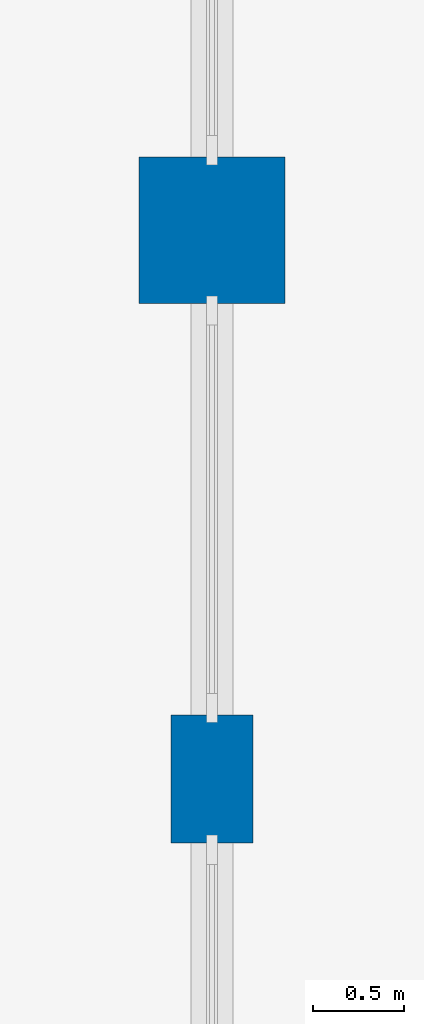
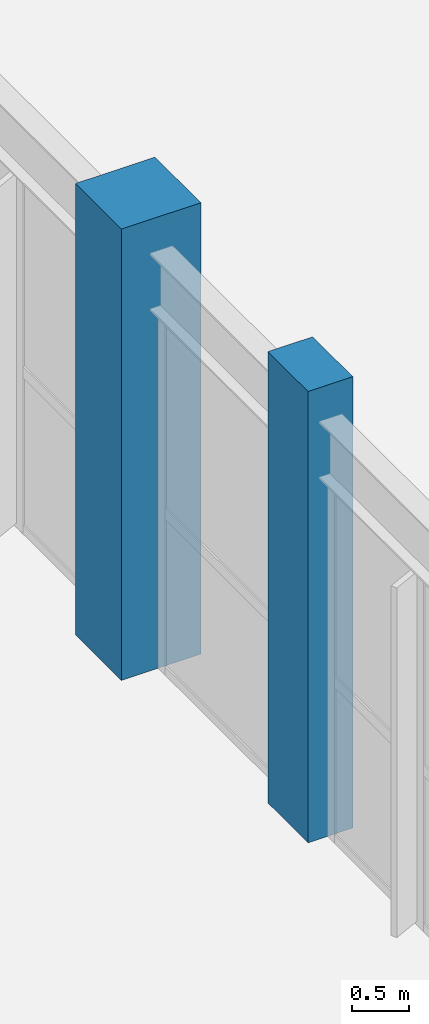
# One storey, part 19 of 199: 2 columns.
"""IFC4 building model written with IfcOpenShell, lengths in metres."""

from ifc_helpers import new_model, si_unit, direction, frame, origin, origin_2d, place, context, subcontext, project, spatial, rectangle, extrude, material, material_profile, profile_set, type_object, element, save


model = new_model("IFC4")

# Units and contexts
model_context = context("Model", 3, precision=1e-05, world=origin(), true_north=direction((0.0, 1.0)))
body_context = subcontext(model_context, "Body", "Model", "MODEL_VIEW")
ifc_project = project(units=[si_unit("LENGTHUNIT", "METRE"), si_unit("AREAUNIT", "SQUARE_METRE"), si_unit("VOLUMEUNIT", "CUBIC_METRE"), si_unit("PLANEANGLEUNIT", "RADIAN"), si_unit("MASSUNIT", "GRAM", prefix="KILO")], contexts=[model_context])

# Site, building, storey
site_placement = place(None, origin())
site = spatial("IfcSite", under=ifc_project, at=site_placement, CompositionType="ELEMENT")
building_placement = place(site_placement, origin())
building = spatial("IfcBuilding", under=site, at=building_placement, Name="Tarnwether General Hospital", CompositionType="ELEMENT")
storey_placement = place(building_placement, origin())
storey = spatial("IfcBuildingStorey", under=building, at=storey_placement, Name="L00", CompositionType="ELEMENT", Elevation=0.0)

# Columns
ifc_material_1 = material(Name="Concrete 50 MPa", Category="concrete")
ifc_material_profile_1 = material_profile(ifc_material_1, rectangle(XDim=0.800048828125, YDim=0.800048828125, at=origin_2d()), Name="RC-COL-800x800")
ifc_profile_set_1 = profile_set([ifc_material_profile_1], Name="Concrete 50 MPa")
column_type_1 = type_object("IfcColumnType", Name="COL-16", PredefinedType="COLUMN", material=ifc_profile_set_1)
column_1_placement = place(storey_placement, frame((108.0, 57.60009765625, 0.0), z_axis=(0.0, 0.0, 1.0), x_axis=(0.0, 1.0, 0.0)))
element("IfcColumn", 1, at=column_1_placement, inside=storey, type_object=column_type_1, Name="Column COLG-L00-10800_5760", PredefinedType="COLUMN", context=body_context, shape_type="SweptSolid", body=[
    extrude(rectangle(XDim=0.800048828125, YDim=0.800048828125, at=origin_2d()), origin(), (0.0, 0.0, 1.0), 4.800048828125),
])
ifc_material_2 = material(Name="Concrete 50 MPa", Category="concrete")
ifc_material_profile_2 = material_profile(ifc_material_2, rectangle(XDim=0.449951171875, YDim=0.699951171875, at=origin_2d()), Name="RC-PIL-450x700")
ifc_profile_set_2 = profile_set([ifc_material_profile_2], Name="Concrete 50 MPa")
column_type_2 = type_object("IfcColumnType", Name="COL-22", PredefinedType="PILASTER", material=ifc_profile_set_2)
column_2_placement = place(storey_placement, frame((108.0, 54.60009765625, 0.0), z_axis=(0.0, 0.0, 1.0), x_axis=(1.0, 0.0, 0.0)))
element("IfcColumn", 2, at=column_2_placement, inside=storey, type_object=column_type_2, Name="Column COLG-L00-10800_5460", PredefinedType="PILASTER", context=body_context, shape_type="SweptSolid", body=[
    extrude(rectangle(XDim=0.449951171875, YDim=0.699951171875, at=origin_2d()), origin(), (0.0, 0.0, 1.0), 4.800048828125),
])

save(model, "model.ifc")
